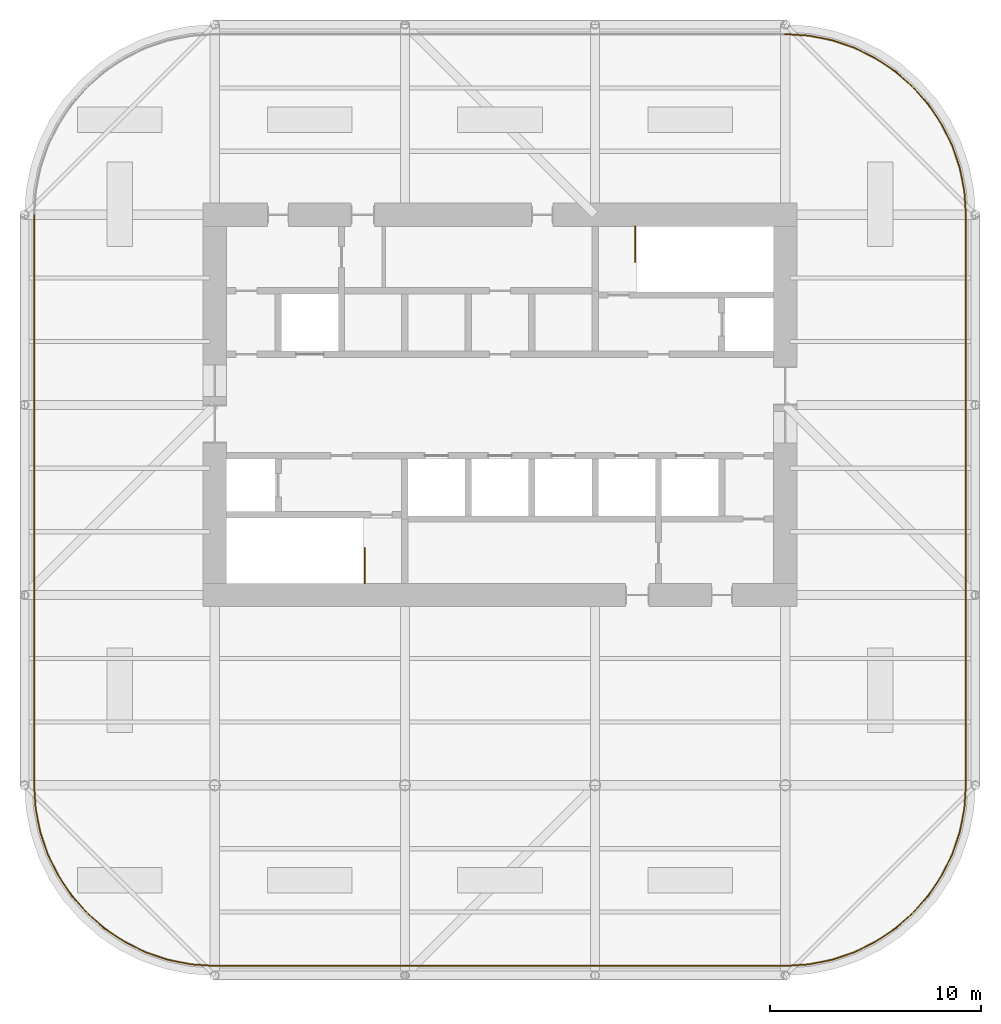
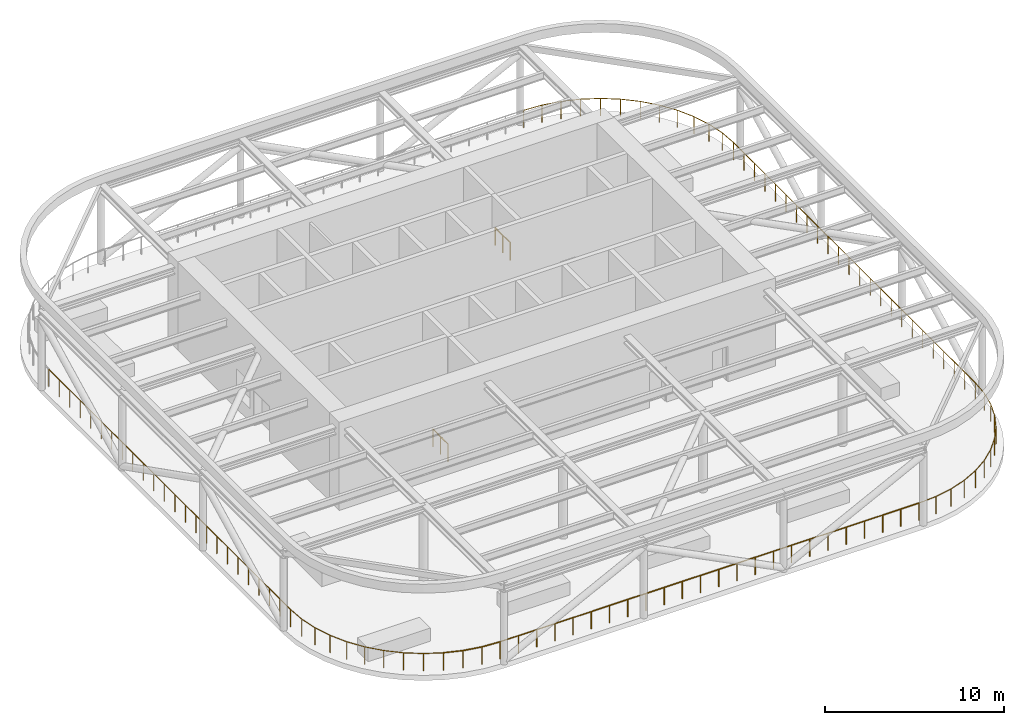
# One storey, part 7 of 8: 6 railings.
"""IFC4 building model written with IfcOpenShell, lengths in metres."""

from ifc_helpers import new_model, si_unit, direction, frame, origin, origin_2d, place, context, subcontext, project, spatial, circle, extrude, material, type_object, element, save


model = new_model("IFC4")

# Units and contexts
model_context = context("Model", 3, precision=1e-05, world=origin(), true_north=direction((0.0, 1.0)))
body_context = subcontext(model_context, "Body", "Model", "MODEL_VIEW")
ifc_project = project(units=[si_unit("LENGTHUNIT", "METRE"), si_unit("AREAUNIT", "SQUARE_METRE"), si_unit("VOLUMEUNIT", "CUBIC_METRE"), si_unit("PLANEANGLEUNIT", "RADIAN"), si_unit("MASSUNIT", "GRAM", prefix="KILO")], contexts=[model_context])

# Site, building, storey
site_placement = place(None, origin())
site = spatial("IfcSite", under=ifc_project, at=site_placement, CompositionType="ELEMENT")
building_placement = place(site_placement, origin())
building = spatial("IfcBuilding", under=site, at=building_placement, Name="Zorevar Civic Tower", CompositionType="ELEMENT")
storey_placement = place(building_placement, frame((0.0, 0.0, 311.800048828125)))
storey = spatial("IfcBuildingStorey", under=building, at=storey_placement, Name="RF", CompositionType="ELEMENT", Elevation=311.800048828125)

# Railings
ifc_material_1 = material(Name="Black steel posts and laminated glass", Category="steel")
railing_type_1 = type_object("IfcRailingType", Name="Guard GR1 1200", PredefinedType="GUARDRAIL", material=ifc_material_1)
railing_1_placement = place(storey_placement, frame((44.9853515625, 0.449951171875, 0.0)))
element("IfcRailing", 1, at=railing_1_placement, inside=storey, type_object=railing_type_1, Name="Guard GR1 RF", PredefinedType="GUARDRAIL", context=body_context, shape_type="SweptSolid", body=[
    extrude(circle(Radius=0.02392578125, at=origin_2d()), frame((0.0, 0.0, 1.17578125), z_axis=(-1.0, 0.0, 0.0), x_axis=(0.0, -1.0, 0.0)), (0.0, 0.0, 1.0), 26.970703125),
    extrude(circle(Radius=0.02392578125, at=origin_2d()), frame((-26.970703125, 0.0, 1.17578125), z_axis=(-0.997852333837, 0.065503586587, 0.0), x_axis=(-0.065503586587, -0.997852333837, 0.0)), (0.0, 0.0, 1.0), 1.133056640625),
    extrude(circle(Radius=0.02392578125, at=origin_2d()), frame((-28.101318359375, 0.07421875, 1.17578125), z_axis=(-0.980806763429, 0.194982288456, 0.0), x_axis=(-0.194982288456, -0.980806763429, 0.0)), (0.0, 0.0, 1.0), 1.1181640625),
    extrude(circle(Radius=0.02392578125, at=origin_2d()), frame((-29.197998046875, 0.292236328125, 1.17578125), z_axis=(-0.946877825624, 0.321593506374, 0.0), x_axis=(-0.321593506374, -0.946877825624, 0.0)), (0.0, 0.0, 1.0), 1.1181640625),
    extrude(circle(Radius=0.02099609375, at=origin_2d()), origin(), (0.0, 0.0, 1.0), 1.15185546875),
    extrude(circle(Radius=0.02099609375, at=origin_2d()), frame((-1.172607421875, 0.0, 0.0)), (0.0, 0.0, 1.0), 1.15185546875),
    extrude(circle(Radius=0.02099609375, at=origin_2d()), frame((-2.34521484375, 0.0, 0.0)), (0.0, 0.0, 1.0), 1.15185546875),
    extrude(circle(Radius=0.02099609375, at=origin_2d()), frame((-3.517822265625, 0.0, 0.0)), (0.0, 0.0, 1.0), 1.15185546875),
    extrude(circle(Radius=0.02099609375, at=origin_2d()), frame((-4.690673828125, 0.0, 0.0)), (0.0, 0.0, 1.0), 1.15185546875),
    extrude(circle(Radius=0.02099609375, at=origin_2d()), frame((-5.86328125, 0.0, 0.0)), (0.0, 0.0, 1.0), 1.15185546875),
    extrude(circle(Radius=0.02099609375, at=origin_2d()), frame((-7.035888671875, 0.0, 0.0)), (0.0, 0.0, 1.0), 1.15185546875),
    extrude(circle(Radius=0.02099609375, at=origin_2d()), frame((-8.20849609375, 0.0, 0.0)), (0.0, 0.0, 1.0), 1.15185546875),
    extrude(circle(Radius=0.02099609375, at=origin_2d()), frame((-9.381103515625, 0.0, 0.0)), (0.0, 0.0, 1.0), 1.15185546875),
    extrude(circle(Radius=0.02099609375, at=origin_2d()), frame((-10.5537109375, 0.0, 0.0)), (0.0, 0.0, 1.0), 1.15185546875),
    extrude(circle(Radius=0.02099609375, at=origin_2d()), frame((-11.726318359375, 0.0, 0.0)), (0.0, 0.0, 1.0), 1.15185546875),
    extrude(circle(Radius=0.02099609375, at=origin_2d()), frame((-12.89892578125, 0.0, 0.0)), (0.0, 0.0, 1.0), 1.15185546875),
    extrude(circle(Radius=0.02099609375, at=origin_2d()), frame((-14.07177734375, 0.0, 0.0)), (0.0, 0.0, 1.0), 1.15185546875),
    extrude(circle(Radius=0.02099609375, at=origin_2d()), frame((-15.244384765625, 0.0, 0.0)), (0.0, 0.0, 1.0), 1.15185546875),
    extrude(circle(Radius=0.02099609375, at=origin_2d()), frame((-16.4169921875, 0.0, 0.0)), (0.0, 0.0, 1.0), 1.15185546875),
    extrude(circle(Radius=0.02099609375, at=origin_2d()), frame((-17.589599609375, 0.0, 0.0)), (0.0, 0.0, 1.0), 1.15185546875),
    extrude(circle(Radius=0.02099609375, at=origin_2d()), frame((-18.76220703125, 0.0, 0.0)), (0.0, 0.0, 1.0), 1.15185546875),
    extrude(circle(Radius=0.02099609375, at=origin_2d()), frame((-19.934814453125, 0.0, 0.0)), (0.0, 0.0, 1.0), 1.15185546875),
    extrude(circle(Radius=0.02099609375, at=origin_2d()), frame((-21.107421875, 0.0, 0.0)), (0.0, 0.0, 1.0), 1.15185546875),
    extrude(circle(Radius=0.02099609375, at=origin_2d()), frame((-22.280029296875, 0.0, 0.0)), (0.0, 0.0, 1.0), 1.15185546875),
    extrude(circle(Radius=0.02099609375, at=origin_2d()), frame((-23.452880859375, 0.0, 0.0)), (0.0, 0.0, 1.0), 1.15185546875),
    extrude(circle(Radius=0.02099609375, at=origin_2d()), frame((-24.62548828125, 0.0, 0.0)), (0.0, 0.0, 1.0), 1.15185546875),
    extrude(circle(Radius=0.02099609375, at=origin_2d()), frame((-25.798095703125, 0.0, 0.0)), (0.0, 0.0, 1.0), 1.15185546875),
    extrude(circle(Radius=0.02099609375, at=origin_2d()), frame((-26.970703125, 0.0, 0.0)), (0.0, 0.0, 1.0), 1.15185546875),
    extrude(circle(Radius=0.02099609375, at=origin_2d()), frame((-28.101318359375, 0.07421875, 0.0)), (0.0, 0.0, 1.0), 1.15185546875),
    extrude(circle(Radius=0.02099609375, at=origin_2d()), frame((-29.197998046875, 0.292236328125, 0.0)), (0.0, 0.0, 1.0), 1.15185546875),
    extrude(circle(Radius=0.02099609375, at=origin_2d()), frame((-30.2568359375, 0.65185546875, 0.0)), (0.0, 0.0, 1.0), 1.15185546875),
])
railing_2_placement = place(storey_placement, frame((14.728515625, 1.101806640625, 0.0)))
element("IfcRailing", 2, at=railing_2_placement, inside=storey, type_object=railing_type_1, Name="Guard GR1 RF", PredefinedType="GUARDRAIL", context=body_context, shape_type="SweptSolid", body=[
    extrude(circle(Radius=0.02392578125, at=origin_2d()), frame((0.0, 0.0, 1.17578125), z_axis=(-0.896859006823, 0.442316540366, 0.0), x_axis=(-0.442316540366, -0.896859006823, 0.0)), (0.0, 0.0, 1.0), 1.1181640625),
    extrude(circle(Radius=0.02392578125, at=origin_2d()), frame((-1.0029296875, 0.49462890625, 1.17578125), z_axis=(-0.831579768311, 0.555405337512, 0.0), x_axis=(-0.555405337512, -0.831579768311, 0.0)), (0.0, 0.0, 1.0), 1.1181640625),
    extrude(circle(Radius=0.02392578125, at=origin_2d()), frame((-1.932861328125, 1.11572265625, 1.17578125), z_axis=(-0.751873024363, 0.659307936578, 0.0), x_axis=(-0.659307936578, -0.751873024363, 0.0)), (0.0, 0.0, 1.0), 1.118408203125),
    extrude(circle(Radius=0.02392578125, at=origin_2d()), frame((-2.773681640625, 1.85302734375, 1.17578125), z_axis=(-0.659307936578, 0.751873024363, 0.0), x_axis=(-0.751873024363, -0.659307936578, 0.0)), (0.0, 0.0, 1.0), 1.118408203125),
    extrude(circle(Radius=0.02392578125, at=origin_2d()), frame((-3.510986328125, 2.69384765625, 1.17578125), z_axis=(-0.555405337512, 0.831579768311, 0.0), x_axis=(-0.831579768311, -0.555405337512, 0.0)), (0.0, 0.0, 1.0), 1.1181640625),
    extrude(circle(Radius=0.02392578125, at=origin_2d()), frame((-4.132080078125, 3.623779296875, 1.17578125), z_axis=(-0.442316540366, 0.896859006823, 0.0), x_axis=(-0.896859006823, -0.442316540366, 0.0)), (0.0, 0.0, 1.0), 1.1181640625),
    extrude(circle(Radius=0.02392578125, at=origin_2d()), frame((-4.626708984375, 4.626708984375, 1.17578125), z_axis=(-0.321593506374, 0.946877825624, 0.0), x_axis=(-0.946877825624, -0.321593506374, 0.0)), (0.0, 0.0, 1.0), 1.1181640625),
    extrude(circle(Radius=0.02392578125, at=origin_2d()), frame((-4.986328125, 5.685546875, 1.17578125), z_axis=(-0.194982288456, 0.980806763429, 0.0), x_axis=(-0.980806763429, -0.194982288456, 0.0)), (0.0, 0.0, 1.0), 1.1181640625),
    extrude(circle(Radius=0.02392578125, at=origin_2d()), frame((-5.204345703125, 6.7822265625, 1.17578125), z_axis=(-0.065503586587, 0.997852333837, 0.0), x_axis=(-0.997852333837, -0.065503586587, 0.0)), (0.0, 0.0, 1.0), 1.133056640625),
    extrude(circle(Radius=0.02392578125, at=origin_2d()), frame((-5.278564453125, 7.912841796875, 1.17578125), z_axis=(0.0, 1.0, 0.0), x_axis=(-1.0, 0.0, 0.0)), (0.0, 0.0, 1.0), 26.970703125),
    extrude(circle(Radius=0.02099609375, at=origin_2d()), origin(), (0.0, 0.0, 1.0), 1.15185546875),
    extrude(circle(Radius=0.02099609375, at=origin_2d()), frame((-1.0029296875, 0.49462890625, 0.0)), (0.0, 0.0, 1.0), 1.15185546875),
    extrude(circle(Radius=0.02099609375, at=origin_2d()), frame((-1.932861328125, 1.11572265625, 0.0)), (0.0, 0.0, 1.0), 1.15185546875),
    extrude(circle(Radius=0.02099609375, at=origin_2d()), frame((-2.773681640625, 1.85302734375, 0.0)), (0.0, 0.0, 1.0), 1.15185546875),
    extrude(circle(Radius=0.02099609375, at=origin_2d()), frame((-3.510986328125, 2.69384765625, 0.0)), (0.0, 0.0, 1.0), 1.15185546875),
    extrude(circle(Radius=0.02099609375, at=origin_2d()), frame((-4.132080078125, 3.623779296875, 0.0)), (0.0, 0.0, 1.0), 1.15185546875),
    extrude(circle(Radius=0.02099609375, at=origin_2d()), frame((-4.626708984375, 4.626708984375, 0.0)), (0.0, 0.0, 1.0), 1.15185546875),
    extrude(circle(Radius=0.02099609375, at=origin_2d()), frame((-4.986328125, 5.685546875, 0.0)), (0.0, 0.0, 1.0), 1.15185546875),
    extrude(circle(Radius=0.02099609375, at=origin_2d()), frame((-5.204345703125, 6.7822265625, 0.0)), (0.0, 0.0, 1.0), 1.15185546875),
    extrude(circle(Radius=0.02099609375, at=origin_2d()), frame((-5.278564453125, 7.912841796875, 0.0)), (0.0, 0.0, 1.0), 1.15185546875),
    extrude(circle(Radius=0.02099609375, at=origin_2d()), frame((-5.278564453125, 9.08544921875, 0.0)), (0.0, 0.0, 1.0), 1.15185546875),
    extrude(circle(Radius=0.02099609375, at=origin_2d()), frame((-5.278564453125, 10.258056640625, 0.0)), (0.0, 0.0, 1.0), 1.15185546875),
    extrude(circle(Radius=0.02099609375, at=origin_2d()), frame((-5.278564453125, 11.4306640625, 0.0)), (0.0, 0.0, 1.0), 1.15185546875),
    extrude(circle(Radius=0.02099609375, at=origin_2d()), frame((-5.278564453125, 12.603515625, 0.0)), (0.0, 0.0, 1.0), 1.15185546875),
    extrude(circle(Radius=0.02099609375, at=origin_2d()), frame((-5.278564453125, 13.776123046875, 0.0)), (0.0, 0.0, 1.0), 1.15185546875),
    extrude(circle(Radius=0.02099609375, at=origin_2d()), frame((-5.278564453125, 14.94873046875, 0.0)), (0.0, 0.0, 1.0), 1.15185546875),
    extrude(circle(Radius=0.02099609375, at=origin_2d()), frame((-5.278564453125, 16.121337890625, 0.0)), (0.0, 0.0, 1.0), 1.15185546875),
    extrude(circle(Radius=0.02099609375, at=origin_2d()), frame((-5.278564453125, 17.2939453125, 0.0)), (0.0, 0.0, 1.0), 1.15185546875),
    extrude(circle(Radius=0.02099609375, at=origin_2d()), frame((-5.278564453125, 18.466552734375, 0.0)), (0.0, 0.0, 1.0), 1.15185546875),
    extrude(circle(Radius=0.02099609375, at=origin_2d()), frame((-5.278564453125, 19.63916015625, 0.0)), (0.0, 0.0, 1.0), 1.15185546875),
    extrude(circle(Radius=0.02099609375, at=origin_2d()), frame((-5.278564453125, 20.811767578125, 0.0)), (0.0, 0.0, 1.0), 1.15185546875),
    extrude(circle(Radius=0.02099609375, at=origin_2d()), frame((-5.278564453125, 21.984619140625, 0.0)), (0.0, 0.0, 1.0), 1.15185546875),
    extrude(circle(Radius=0.02099609375, at=origin_2d()), frame((-5.278564453125, 23.1572265625, 0.0)), (0.0, 0.0, 1.0), 1.15185546875),
    extrude(circle(Radius=0.02099609375, at=origin_2d()), frame((-5.278564453125, 24.329833984375, 0.0)), (0.0, 0.0, 1.0), 1.15185546875),
    extrude(circle(Radius=0.02099609375, at=origin_2d()), frame((-5.278564453125, 25.50244140625, 0.0)), (0.0, 0.0, 1.0), 1.15185546875),
    extrude(circle(Radius=0.02099609375, at=origin_2d()), frame((-5.278564453125, 26.675048828125, 0.0)), (0.0, 0.0, 1.0), 1.15185546875),
    extrude(circle(Radius=0.02099609375, at=origin_2d()), frame((-5.278564453125, 27.84765625, 0.0)), (0.0, 0.0, 1.0), 1.15185546875),
    extrude(circle(Radius=0.02099609375, at=origin_2d()), frame((-5.278564453125, 29.020263671875, 0.0)), (0.0, 0.0, 1.0), 1.15185546875),
    extrude(circle(Radius=0.02099609375, at=origin_2d()), frame((-5.278564453125, 30.19287109375, 0.0)), (0.0, 0.0, 1.0), 1.15185546875),
    extrude(circle(Radius=0.02099609375, at=origin_2d()), frame((-5.278564453125, 31.36572265625, 0.0)), (0.0, 0.0, 1.0), 1.15185546875),
    extrude(circle(Radius=0.02099609375, at=origin_2d()), frame((-5.278564453125, 32.538330078125, 0.0)), (0.0, 0.0, 1.0), 1.15185546875),
    extrude(circle(Radius=0.02099609375, at=origin_2d()), frame((-5.278564453125, 33.7109375, 0.0)), (0.0, 0.0, 1.0), 1.15185546875),
    extrude(circle(Radius=0.02099609375, at=origin_2d()), frame((-5.278564453125, 34.883544921875, 0.0)), (0.0, 0.0, 1.0), 1.15185546875),
])
railing_3_placement = place(storey_placement, frame((44.9853515625, 44.550048828125, 0.0)))
element("IfcRailing", 3, at=railing_3_placement, inside=storey, type_object=railing_type_1, Name="Guard GR1 RF", PredefinedType="GUARDRAIL", context=body_context, shape_type="SweptSolid", body=[
    extrude(circle(Radius=0.02392578125, at=origin_2d()), frame((0.0, 0.0, 1.17578125), z_axis=(0.997852333837, -0.065503586587, 0.0), x_axis=(0.065503586587, 0.997852333837, 0.0)), (0.0, 0.0, 1.0), 1.133056640625),
    extrude(circle(Radius=0.02392578125, at=origin_2d()), frame((1.130615234375, -0.07421875, 1.17578125), z_axis=(0.980806763429, -0.194982288456, 0.0), x_axis=(0.194982288456, 0.980806763429, 0.0)), (0.0, 0.0, 1.0), 1.1181640625),
    extrude(circle(Radius=0.02392578125, at=origin_2d()), frame((2.227294921875, -0.292236328125, 1.17578125), z_axis=(0.946877825624, -0.321593506374, 0.0), x_axis=(0.321593506374, 0.946877825624, 0.0)), (0.0, 0.0, 1.0), 1.1181640625),
    extrude(circle(Radius=0.02392578125, at=origin_2d()), frame((3.2861328125, -0.65185546875, 1.17578125), z_axis=(0.896859006823, -0.442316540366, 0.0), x_axis=(0.442316540366, 0.896859006823, 0.0)), (0.0, 0.0, 1.0), 1.1181640625),
    extrude(circle(Radius=0.02392578125, at=origin_2d()), frame((4.2890625, -1.146484375, 1.17578125), z_axis=(0.831579768311, -0.555405337512, 0.0), x_axis=(0.555405337512, 0.831579768311, 0.0)), (0.0, 0.0, 1.0), 1.1181640625),
    extrude(circle(Radius=0.02392578125, at=origin_2d()), frame((5.218994140625, -1.767578125, 1.17578125), z_axis=(0.751873024363, -0.659307936578, 0.0), x_axis=(0.659307936578, 0.751873024363, 0.0)), (0.0, 0.0, 1.0), 1.118408203125),
    extrude(circle(Radius=0.02392578125, at=origin_2d()), frame((6.059814453125, -2.5048828125, 1.17578125), z_axis=(0.659307936578, -0.751873024363, 0.0), x_axis=(0.751873024363, 0.659307936578, 0.0)), (0.0, 0.0, 1.0), 1.118408203125),
    extrude(circle(Radius=0.02392578125, at=origin_2d()), frame((6.797119140625, -3.345703125, 1.17578125), z_axis=(0.555405337512, -0.831579768311, 0.0), x_axis=(0.831579768311, 0.555405337512, 0.0)), (0.0, 0.0, 1.0), 1.1181640625),
    extrude(circle(Radius=0.02392578125, at=origin_2d()), frame((7.418212890625, -4.275634765625, 1.17578125), z_axis=(0.442316540366, -0.896859006823, 0.0), x_axis=(0.896859006823, 0.442316540366, 0.0)), (0.0, 0.0, 1.0), 1.1181640625),
    extrude(circle(Radius=0.02392578125, at=origin_2d()), frame((7.912841796875, -5.278564453125, 1.17578125), z_axis=(0.321593506374, -0.946877825624, 0.0), x_axis=(0.946877825624, 0.321593506374, 0.0)), (0.0, 0.0, 1.0), 1.1181640625),
    extrude(circle(Radius=0.02392578125, at=origin_2d()), frame((8.2724609375, -6.33740234375, 1.17578125), z_axis=(0.194982288456, -0.980806763429, 0.0), x_axis=(0.980806763429, 0.194982288456, 0.0)), (0.0, 0.0, 1.0), 1.1181640625),
    extrude(circle(Radius=0.02392578125, at=origin_2d()), frame((8.490478515625, -7.43408203125, 1.17578125), z_axis=(0.065503586587, -0.997852333837, 0.0), x_axis=(0.997852333837, 0.065503586587, 0.0)), (0.0, 0.0, 1.0), 1.133056640625),
    extrude(circle(Radius=0.02392578125, at=origin_2d()), frame((8.564697265625, -8.564697265625, 1.17578125), z_axis=(0.0, -1.0, 0.0), x_axis=(1.0, 0.0, 0.0)), (0.0, 0.0, 1.0), 26.970703125),
    extrude(circle(Radius=0.02099609375, at=origin_2d()), origin(), (0.0, 0.0, 1.0), 1.15185546875),
    extrude(circle(Radius=0.02099609375, at=origin_2d()), frame((1.130615234375, -0.07421875, 0.0)), (0.0, 0.0, 1.0), 1.15185546875),
    extrude(circle(Radius=0.02099609375, at=origin_2d()), frame((2.227294921875, -0.292236328125, 0.0)), (0.0, 0.0, 1.0), 1.15185546875),
    extrude(circle(Radius=0.02099609375, at=origin_2d()), frame((3.2861328125, -0.65185546875, 0.0)), (0.0, 0.0, 1.0), 1.15185546875),
    extrude(circle(Radius=0.02099609375, at=origin_2d()), frame((4.2890625, -1.146484375, 0.0)), (0.0, 0.0, 1.0), 1.15185546875),
    extrude(circle(Radius=0.02099609375, at=origin_2d()), frame((5.218994140625, -1.767578125, 0.0)), (0.0, 0.0, 1.0), 1.15185546875),
    extrude(circle(Radius=0.02099609375, at=origin_2d()), frame((6.059814453125, -2.5048828125, 0.0)), (0.0, 0.0, 1.0), 1.15185546875),
    extrude(circle(Radius=0.02099609375, at=origin_2d()), frame((6.797119140625, -3.345703125, 0.0)), (0.0, 0.0, 1.0), 1.15185546875),
    extrude(circle(Radius=0.02099609375, at=origin_2d()), frame((7.418212890625, -4.275634765625, 0.0)), (0.0, 0.0, 1.0), 1.15185546875),
    extrude(circle(Radius=0.02099609375, at=origin_2d()), frame((7.912841796875, -5.278564453125, 0.0)), (0.0, 0.0, 1.0), 1.15185546875),
    extrude(circle(Radius=0.02099609375, at=origin_2d()), frame((8.2724609375, -6.33740234375, 0.0)), (0.0, 0.0, 1.0), 1.15185546875),
    extrude(circle(Radius=0.02099609375, at=origin_2d()), frame((8.490478515625, -7.43408203125, 0.0)), (0.0, 0.0, 1.0), 1.15185546875),
    extrude(circle(Radius=0.02099609375, at=origin_2d()), frame((8.564697265625, -8.564697265625, 0.0)), (0.0, 0.0, 1.0), 1.15185546875),
    extrude(circle(Radius=0.02099609375, at=origin_2d()), frame((8.564697265625, -9.7373046875, 0.0)), (0.0, 0.0, 1.0), 1.15185546875),
    extrude(circle(Radius=0.02099609375, at=origin_2d()), frame((8.564697265625, -10.909912109375, 0.0)), (0.0, 0.0, 1.0), 1.15185546875),
    extrude(circle(Radius=0.02099609375, at=origin_2d()), frame((8.564697265625, -12.08251953125, 0.0)), (0.0, 0.0, 1.0), 1.15185546875),
    extrude(circle(Radius=0.02099609375, at=origin_2d()), frame((8.564697265625, -13.25537109375, 0.0)), (0.0, 0.0, 1.0), 1.15185546875),
    extrude(circle(Radius=0.02099609375, at=origin_2d()), frame((8.564697265625, -14.427978515625, 0.0)), (0.0, 0.0, 1.0), 1.15185546875),
    extrude(circle(Radius=0.02099609375, at=origin_2d()), frame((8.564697265625, -15.6005859375, 0.0)), (0.0, 0.0, 1.0), 1.15185546875),
    extrude(circle(Radius=0.02099609375, at=origin_2d()), frame((8.564697265625, -16.773193359375, 0.0)), (0.0, 0.0, 1.0), 1.15185546875),
    extrude(circle(Radius=0.02099609375, at=origin_2d()), frame((8.564697265625, -17.94580078125, 0.0)), (0.0, 0.0, 1.0), 1.15185546875),
    extrude(circle(Radius=0.02099609375, at=origin_2d()), frame((8.564697265625, -19.118408203125, 0.0)), (0.0, 0.0, 1.0), 1.15185546875),
    extrude(circle(Radius=0.02099609375, at=origin_2d()), frame((8.564697265625, -20.291015625, 0.0)), (0.0, 0.0, 1.0), 1.15185546875),
    extrude(circle(Radius=0.02099609375, at=origin_2d()), frame((8.564697265625, -21.463623046875, 0.0)), (0.0, 0.0, 1.0), 1.15185546875),
    extrude(circle(Radius=0.02099609375, at=origin_2d()), frame((8.564697265625, -22.636474609375, 0.0)), (0.0, 0.0, 1.0), 1.15185546875),
    extrude(circle(Radius=0.02099609375, at=origin_2d()), frame((8.564697265625, -23.80908203125, 0.0)), (0.0, 0.0, 1.0), 1.15185546875),
    extrude(circle(Radius=0.02099609375, at=origin_2d()), frame((8.564697265625, -24.981689453125, 0.0)), (0.0, 0.0, 1.0), 1.15185546875),
    extrude(circle(Radius=0.02099609375, at=origin_2d()), frame((8.564697265625, -26.154296875, 0.0)), (0.0, 0.0, 1.0), 1.15185546875),
    extrude(circle(Radius=0.02099609375, at=origin_2d()), frame((8.564697265625, -27.326904296875, 0.0)), (0.0, 0.0, 1.0), 1.15185546875),
    extrude(circle(Radius=0.02099609375, at=origin_2d()), frame((8.564697265625, -28.49951171875, 0.0)), (0.0, 0.0, 1.0), 1.15185546875),
    extrude(circle(Radius=0.02099609375, at=origin_2d()), frame((8.564697265625, -29.672119140625, 0.0)), (0.0, 0.0, 1.0), 1.15185546875),
    extrude(circle(Radius=0.02099609375, at=origin_2d()), frame((8.564697265625, -30.8447265625, 0.0)), (0.0, 0.0, 1.0), 1.15185546875),
    extrude(circle(Radius=0.02099609375, at=origin_2d()), frame((8.564697265625, -32.017578125, 0.0)), (0.0, 0.0, 1.0), 1.15185546875),
    extrude(circle(Radius=0.02099609375, at=origin_2d()), frame((8.564697265625, -33.190185546875, 0.0)), (0.0, 0.0, 1.0), 1.15185546875),
    extrude(circle(Radius=0.02099609375, at=origin_2d()), frame((8.564697265625, -34.36279296875, 0.0)), (0.0, 0.0, 1.0), 1.15185546875),
    extrude(circle(Radius=0.02099609375, at=origin_2d()), frame((8.564697265625, -35.535400390625, 0.0)), (0.0, 0.0, 1.0), 1.15185546875),
])
railing_4_placement = place(storey_placement, frame((53.550048828125, 9.0146484375, 0.0)))
element("IfcRailing", 4, at=railing_4_placement, inside=storey, type_object=railing_type_1, Name="Guard GR1 RF", PredefinedType="GUARDRAIL", context=body_context, shape_type="SweptSolid", body=[
    extrude(circle(Radius=0.02392578125, at=origin_2d()), frame((0.0, 0.0, 1.17578125), z_axis=(-0.065503586587, -0.997852333837, 0.0), x_axis=(0.997852333837, -0.065503586587, 0.0)), (0.0, 0.0, 1.0), 1.133056640625),
    extrude(circle(Radius=0.02392578125, at=origin_2d()), frame((-0.07421875, -1.130615234375, 1.17578125), z_axis=(-0.194982288456, -0.980806763429, 0.0), x_axis=(0.980806763429, -0.194982288456, 0.0)), (0.0, 0.0, 1.0), 1.1181640625),
    extrude(circle(Radius=0.02392578125, at=origin_2d()), frame((-0.292236328125, -2.227294921875, 1.17578125), z_axis=(-0.321593506374, -0.946877825624, 0.0), x_axis=(0.946877825624, -0.321593506374, 0.0)), (0.0, 0.0, 1.0), 1.1181640625),
    extrude(circle(Radius=0.02392578125, at=origin_2d()), frame((-0.65185546875, -3.2861328125, 1.17578125), z_axis=(-0.442316540366, -0.896859006823, 0.0), x_axis=(0.896859006823, -0.442316540366, 0.0)), (0.0, 0.0, 1.0), 1.1181640625),
    extrude(circle(Radius=0.02392578125, at=origin_2d()), frame((-1.146484375, -4.2890625, 1.17578125), z_axis=(-0.555405337512, -0.831579768311, 0.0), x_axis=(0.831579768311, -0.555405337512, 0.0)), (0.0, 0.0, 1.0), 1.1181640625),
    extrude(circle(Radius=0.02392578125, at=origin_2d()), frame((-1.767578125, -5.218994140625, 1.17578125), z_axis=(-0.659307936578, -0.751873024363, 0.0), x_axis=(0.751873024363, -0.659307936578, 0.0)), (0.0, 0.0, 1.0), 1.118408203125),
    extrude(circle(Radius=0.02392578125, at=origin_2d()), frame((-2.5048828125, -6.059814453125, 1.17578125), z_axis=(-0.751873024363, -0.659307936578, 0.0), x_axis=(0.659307936578, -0.751873024363, 0.0)), (0.0, 0.0, 1.0), 1.118408203125),
    extrude(circle(Radius=0.02392578125, at=origin_2d()), frame((-3.345703125, -6.797119140625, 1.17578125), z_axis=(-0.831579768311, -0.555405337512, 0.0), x_axis=(0.555405337512, -0.831579768311, 0.0)), (0.0, 0.0, 1.0), 1.1181640625),
    extrude(circle(Radius=0.02392578125, at=origin_2d()), frame((-4.275634765625, -7.418212890625, 1.17578125), z_axis=(-0.896859006823, -0.442316540366, 0.0), x_axis=(0.442316540366, -0.896859006823, 0.0)), (0.0, 0.0, 1.0), 1.1181640625),
    extrude(circle(Radius=0.02392578125, at=origin_2d()), frame((-5.278564453125, -7.912841796875, 1.17578125), z_axis=(-0.946877825624, -0.321593506374, 0.0), x_axis=(0.321593506374, -0.946877825624, 0.0)), (0.0, 0.0, 1.0), 1.1181640625),
    extrude(circle(Radius=0.02392578125, at=origin_2d()), frame((-6.33740234375, -8.2724609375, 1.17578125), z_axis=(-0.980806763429, -0.194982288456, 0.0), x_axis=(0.194982288456, -0.980806763429, 0.0)), (0.0, 0.0, 1.0), 1.1181640625),
    extrude(circle(Radius=0.02392578125, at=origin_2d()), frame((-7.43408203125, -8.490478515625, 1.17578125), z_axis=(-0.997852333837, -0.065503586587, 0.0), x_axis=(0.065503586587, -0.997852333837, 0.0)), (0.0, 0.0, 1.0), 1.133056640625),
    extrude(circle(Radius=0.02099609375, at=origin_2d()), origin(), (0.0, 0.0, 1.0), 1.15185546875),
    extrude(circle(Radius=0.02099609375, at=origin_2d()), frame((-0.07421875, -1.130615234375, 0.0)), (0.0, 0.0, 1.0), 1.15185546875),
    extrude(circle(Radius=0.02099609375, at=origin_2d()), frame((-0.292236328125, -2.227294921875, 0.0)), (0.0, 0.0, 1.0), 1.15185546875),
    extrude(circle(Radius=0.02099609375, at=origin_2d()), frame((-0.65185546875, -3.2861328125, 0.0)), (0.0, 0.0, 1.0), 1.15185546875),
    extrude(circle(Radius=0.02099609375, at=origin_2d()), frame((-1.146484375, -4.2890625, 0.0)), (0.0, 0.0, 1.0), 1.15185546875),
    extrude(circle(Radius=0.02099609375, at=origin_2d()), frame((-1.767578125, -5.218994140625, 0.0)), (0.0, 0.0, 1.0), 1.15185546875),
    extrude(circle(Radius=0.02099609375, at=origin_2d()), frame((-2.5048828125, -6.059814453125, 0.0)), (0.0, 0.0, 1.0), 1.15185546875),
    extrude(circle(Radius=0.02099609375, at=origin_2d()), frame((-3.345703125, -6.797119140625, 0.0)), (0.0, 0.0, 1.0), 1.15185546875),
    extrude(circle(Radius=0.02099609375, at=origin_2d()), frame((-4.275634765625, -7.418212890625, 0.0)), (0.0, 0.0, 1.0), 1.15185546875),
    extrude(circle(Radius=0.02099609375, at=origin_2d()), frame((-5.278564453125, -7.912841796875, 0.0)), (0.0, 0.0, 1.0), 1.15185546875),
    extrude(circle(Radius=0.02099609375, at=origin_2d()), frame((-6.33740234375, -8.2724609375, 0.0)), (0.0, 0.0, 1.0), 1.15185546875),
    extrude(circle(Radius=0.02099609375, at=origin_2d()), frame((-7.43408203125, -8.490478515625, 0.0)), (0.0, 0.0, 1.0), 1.15185546875),
    extrude(circle(Radius=0.02099609375, at=origin_2d()), frame((-8.564697265625, -8.564697265625, 0.0)), (0.0, 0.0, 1.0), 1.15185546875),
])
ifc_material_2 = material(Name="Black steel guard with infill bars", Category="steel")
railing_type_2 = type_object("IfcRailingType", Name="Stair guard GR2 1200", PredefinedType="GUARDRAIL", material=ifc_material_2)
railing_5_placement = place(storey_placement, frame((25.10009765625, 18.550048828125, 0.0)))
element("IfcRailing", 5, at=railing_5_placement, inside=storey, type_object=railing_type_2, Name="Stair guard GR2 ST1 RF", PredefinedType="GUARDRAIL", context=body_context, shape_type="SweptSolid", body=[
    extrude(circle(Radius=0.02392578125, at=origin_2d()), frame((0.0, 0.0, 1.17578125), z_axis=(0.0, 1.0, 0.0), x_axis=(-1.0, 0.0, 0.0)), (0.0, 0.0, 1.0), 1.675048828125),
    extrude(circle(Radius=0.02099609375, at=origin_2d()), origin(), (0.0, 0.0, 1.0), 1.15185546875),
    extrude(circle(Radius=0.02099609375, at=origin_2d()), frame((0.0, 0.83740234375, 0.0)), (0.0, 0.0, 1.0), 1.15185546875),
    extrude(circle(Radius=0.02099609375, at=origin_2d()), frame((0.0, 1.675048828125, 0.0)), (0.0, 0.0, 1.0), 1.15185546875),
])
railing_6_placement = place(storey_placement, frame((37.89990234375, 35.449951171875, 0.0)))
element("IfcRailing", 6, at=railing_6_placement, inside=storey, type_object=railing_type_2, Name="Stair guard GR2 ST2 RF", PredefinedType="GUARDRAIL", context=body_context, shape_type="SweptSolid", body=[
    extrude(circle(Radius=0.02392578125, at=origin_2d()), frame((0.0, 0.0, 1.17578125), z_axis=(0.0, -1.0, 0.0), x_axis=(1.0, 0.0, 0.0)), (0.0, 0.0, 1.0), 1.675048828125),
    extrude(circle(Radius=0.02099609375, at=origin_2d()), origin(), (0.0, 0.0, 1.0), 1.15185546875),
    extrude(circle(Radius=0.02099609375, at=origin_2d()), frame((0.0, -0.83740234375, 0.0)), (0.0, 0.0, 1.0), 1.15185546875),
    extrude(circle(Radius=0.02099609375, at=origin_2d()), frame((0.0, -1.675048828125, 0.0)), (0.0, 0.0, 1.0), 1.15185546875),
])

save(model, "model.ifc")
